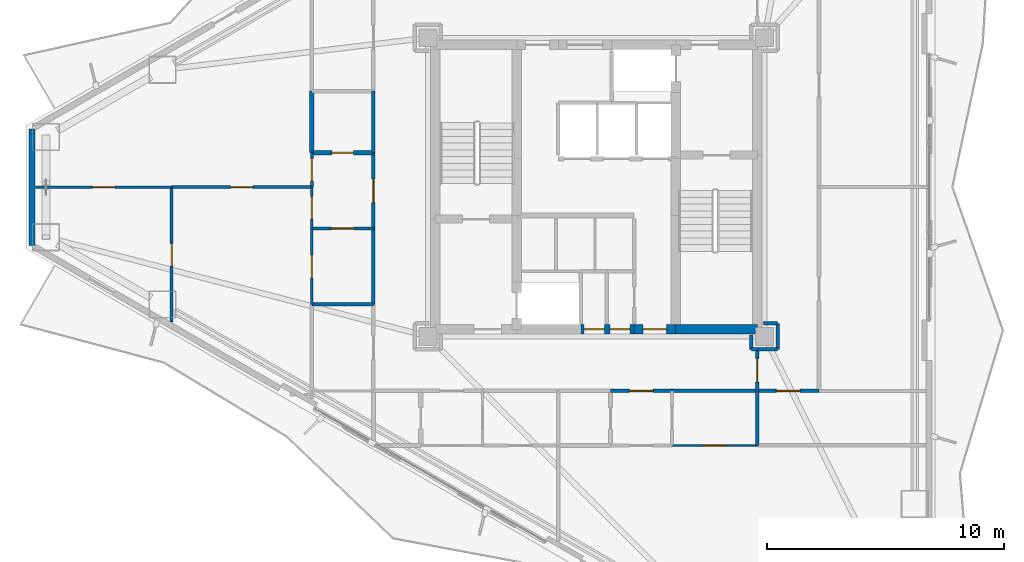
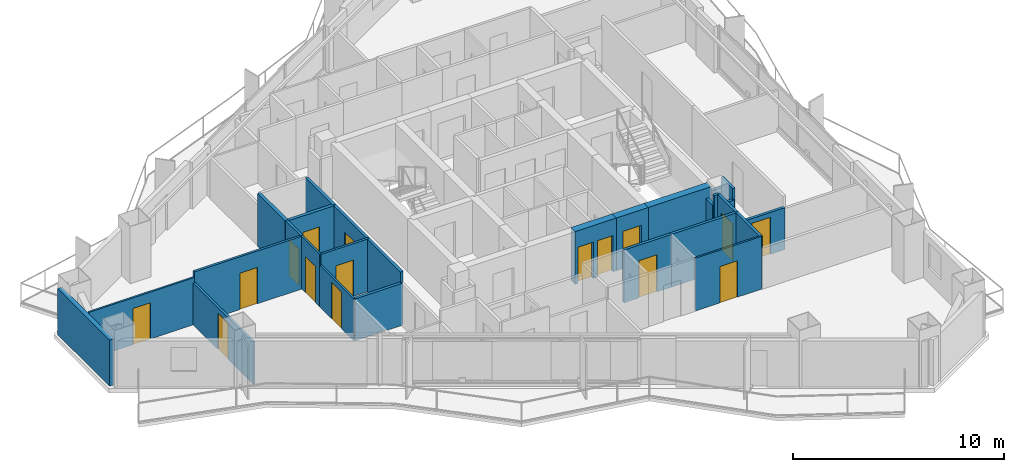
# One storey, part 16 of 22: 28 walls, 16 doors, 16 openings.
"""IFC4 building model written with IfcOpenShell, lengths in metres."""

from ifc_helpers import new_model, si_unit, direction, frame, frame_2d, origin, place, context, subcontext, project, spatial, rectangle, extrude, material, layer, layer_set, type_object, element, fill, save


model = new_model("IFC4")

# Units and contexts
model_context = context("Model", 3, precision=1e-05, world=origin(), true_north=direction((0.0, 1.0)))
body_context = subcontext(model_context, "Body", "Model", "MODEL_VIEW")
ifc_project = project(units=[si_unit("LENGTHUNIT", "METRE"), si_unit("AREAUNIT", "SQUARE_METRE"), si_unit("VOLUMEUNIT", "CUBIC_METRE"), si_unit("PLANEANGLEUNIT", "RADIAN"), si_unit("MASSUNIT", "GRAM", prefix="KILO")], contexts=[model_context])

# Site, building, storey
site_placement = place(None, origin())
site = spatial("IfcSite", under=ifc_project, at=site_placement, CompositionType="ELEMENT")
building_placement = place(site_placement, origin())
building = spatial("IfcBuilding", under=site, at=building_placement, Name="Mersakhor Tower and Convention Hall", CompositionType="ELEMENT")
storey_placement = place(building_placement, frame((0.0, 0.0, 99.89990234375)))
storey = spatial("IfcBuildingStorey", under=building, at=storey_placement, Name="L27", CompositionType="ELEMENT", Elevation=99.89990234375)

# Wall
ifc_material_1 = material(Name="Precast concrete C40/50", Category="concrete")
ifc_layer_1 = layer(ifc_material_1, 0.25)
ifc_layer_set_1 = layer_set([ifc_layer_1], Name="Precast concrete C40/50")
wall_type_1 = type_object("IfcWallType", Name="WL-EXT-250", PredefinedType="SOLIDWALL", material=ifc_layer_set_1)
wall_1_placement = place(storey_placement, frame((5.186767578125, 24.292724609375, 0.0), z_axis=(0.0, 0.0, 1.0), x_axis=(0.0, 1.0, 0.0)))
element("IfcWall", 1, at=wall_1_placement, inside=storey, type_object=wall_type_1, Name="L27 Chamfer Braced Spandrel Wall C3", PredefinedType="SOLIDWALL", context=body_context, shape_type="SweptSolid", body=[
    extrude(rectangle(XDim=4.91455078125, YDim=0.25, at=frame_2d((2.457275390625, 0.0))), origin(), (0.0, 0.0, 1.0), 2.670166015625),
])

# Wall, opening, door
ifc_material_2 = material(Name="Moisture-resistant acoustic drywall studwork", Category="other")
ifc_layer_2 = layer(ifc_material_2, 0.175048828125)
ifc_layer_set_2 = layer_set([ifc_layer_2], Name="Moisture-resistant acoustic drywall studwork")
wall_type_2 = type_object("IfcWallType", Name="WL-PLM-175", PredefinedType="PLUMBINGWALL", material=ifc_layer_set_2)
wall_2_placement = place(storey_placement, frame((17.0, 28.199951171875, 0.0), z_axis=(0.0, 0.0, 1.0), x_axis=(1.0, 0.0, 0.0)))
wall_2 = element("IfcWall", 2, at=wall_2_placement, inside=storey, type_object=wall_type_2, Name="L27 Interior Partition Wall P-074", PredefinedType="PLUMBINGWALL", context=body_context, shape_type="SweptSolid", body=[
    extrude(rectangle(XDim=2.60009765625, YDim=0.175048828125, at=frame_2d((1.300048828125, 0.0))), origin(), (0.0, 0.0, 1.0), 3.050048828125),
])
opening_1_placement = place(wall_2_placement, frame((0.85009765625, 0.0, 0.0)))
opening_1 = element("IfcOpeningElement", 3, at=opening_1_placement, cuts=wall_2, Name="Opening WD-01", PredefinedType="OPENING", context=body_context, shape_type="SweptSolid", body=[
    extrude(rectangle(XDim=0.89990234375, YDim=2.10009765625, at=frame_2d((0.449951171875, 1.050048828125))), frame((0.0, 0.097412109375, 0.0), z_axis=(0.0, -1.0, 0.0), x_axis=(1.0, 0.0, 0.0)), (0.0, 0.0, 1.0), 0.195068359375),
])
ifc_material_3 = material(Name="Solid-core hardwood leaf in painted steel frame", Category="steel")
door_type_1 = type_object("IfcDoorType", Name="DR-INT-WET-090x210", OperationType="NOTDEFINED", PredefinedType="DOOR", material=ifc_material_3)
door_1_placement = place(opening_1_placement, origin())
door_1 = element("IfcDoor", 4, at=door_1_placement, inside=storey, type_object=door_type_1, Name="L27 L27 Flat W5 Apartment Hall to L27 Flat W5 Bathroom Door", OperationType="SINGLE_SWING_LEFT", OverallHeight=2.10009765625, OverallWidth=0.89990234375, PredefinedType="DOOR", context=body_context, shape_type="SweptSolid", body=[
    extrude(rectangle(XDim=0.89990234375, YDim=2.10009765625, at=frame_2d((0.449951171875, 1.050048828125))), frame((0.0, 0.02490234375, 0.0), z_axis=(0.0, -1.0, 0.0), x_axis=(1.0, 0.0, 0.0)), (0.0, 0.0, 1.0), 0.050048828125),
])
fill(opening_1, door_1)

# Wall
wall_3_placement = place(storey_placement, frame((17.0, 28.199951171875, 0.0), z_axis=(0.0, 0.0, 1.0), x_axis=(0.0, 1.0, 0.0)))
element("IfcWall", 5, at=wall_3_placement, inside=storey, type_object=wall_type_2, Name="L27 Interior Partition Wall P-090", PredefinedType="PLUMBINGWALL", context=body_context, shape_type="SweptSolid", body=[
    extrude(rectangle(XDim=2.60009765625, YDim=0.175048828125, at=frame_2d((1.300048828125, 0.0))), origin(), (0.0, 0.0, 1.0), 3.050048828125),
])

# Wall, opening, door
ifc_material_4 = material(Name="Lightweight gypsum partition", Category="other")
ifc_layer_3 = layer(ifc_material_4, 0.10009765625)
ifc_layer_set_3 = layer_set([ifc_layer_3], Name="Lightweight gypsum partition")
wall_type_3 = type_object("IfcWallType", Name="WL-PRT-100", PredefinedType="PARTITIONING", material=ifc_layer_set_3)
wall_4_placement = place(storey_placement, frame((17.0, 25.0, 0.0), z_axis=(0.0, 0.0, 1.0), x_axis=(0.0, 1.0, 0.0)))
wall_4 = element("IfcWall", 6, at=wall_4_placement, inside=storey, type_object=wall_type_3, Name="L27 Interior Partition Wall P-072", PredefinedType="PARTITIONING", context=body_context, shape_type="SweptSolid", body=[
    extrude(rectangle(XDim=1.75, YDim=0.10009765625, at=frame_2d((0.875, 0.0))), origin(), (0.0, 0.0, 1.0), 3.050048828125),
])
opening_2_placement = place(wall_4_placement, frame((0.39990234375, 0.0, 0.0)))
opening_2 = element("IfcOpeningElement", 7, at=opening_2_placement, cuts=wall_4, Name="Opening RD-01", PredefinedType="OPENING", context=body_context, shape_type="SweptSolid", body=[
    extrude(rectangle(XDim=0.949951171875, YDim=2.10009765625, at=frame_2d((0.47509765625, 1.050048828125))), frame((0.0, 0.06005859375, 0.0), z_axis=(0.0, -1.0, 0.0), x_axis=(1.0, 0.0, 0.0)), (0.0, 0.0, 1.0), 0.1201171875),
])
ifc_material_5 = material(Name="Solid-core hardwood leaf in painted steel frame", Category="steel")
door_type_2 = type_object("IfcDoorType", Name="DR-INT-RM-095x210", OperationType="NOTDEFINED", PredefinedType="DOOR", material=ifc_material_5)
door_2_placement = place(opening_2_placement, origin())
door_2 = element("IfcDoor", 8, at=door_2_placement, inside=storey, type_object=door_type_2, Name="L27 L27 Flat W5 Apartment Hall to L27 Flat W5 Dining Room Door", OperationType="SINGLE_SWING_RIGHT", OverallHeight=2.10009765625, OverallWidth=0.949951171875, PredefinedType="DOOR", context=body_context, shape_type="SweptSolid", body=[
    extrude(rectangle(XDim=0.949951171875, YDim=2.10009765625, at=frame_2d((0.47509765625, 1.050048828125))), frame((0.0, 0.02490234375, 0.0), z_axis=(0.0, -1.0, 0.0), x_axis=(1.0, 0.0, 0.0)), (0.0, 0.0, 1.0), 0.050048828125),
])
fill(opening_2, door_2)

wall_5_placement = place(storey_placement, frame((35.800048828125, 15.85009765625, 0.0), z_axis=(0.0, 0.0, 1.0), x_axis=(-1.0, 0.0, 0.0)))
wall_5 = element("IfcWall", 9, at=wall_5_placement, inside=storey, type_object=wall_type_3, Name="L27 Interior Partition Wall P-088", PredefinedType="PARTITIONING", context=body_context, shape_type="SweptSolid", body=[
    extrude(rectangle(XDim=3.60009765625, YDim=0.10009765625, at=frame_2d((1.800048828125, 0.0))), origin(), (0.0, 0.0, 1.0), 3.050048828125),
])
opening_3_placement = place(wall_5_placement, frame((1.324951171875, 0.0, 0.0)))
opening_3 = element("IfcOpeningElement", 10, at=opening_3_placement, cuts=wall_5, Name="Opening RD-01", PredefinedType="OPENING", context=body_context, shape_type="SweptSolid", body=[
    extrude(rectangle(XDim=0.949951171875, YDim=2.10009765625, at=frame_2d((0.47509765625, 1.050048828125))), frame((0.0, 0.06005859375, 0.0), z_axis=(0.0, -1.0, 0.0), x_axis=(1.0, 0.0, 0.0)), (0.0, 0.0, 1.0), 0.1201171875),
])
door_3_placement = place(opening_3_placement, origin())
door_3 = element("IfcDoor", 11, at=door_3_placement, inside=storey, type_object=door_type_2, Name="L27 L27 Flat S4 Kitchen to L27 Flat S4 Studio Living and Sleeping Room Door", OperationType="SINGLE_SWING_RIGHT", OverallHeight=2.10009765625, OverallWidth=0.949951171875, PredefinedType="DOOR", context=body_context, shape_type="SweptSolid", body=[
    extrude(rectangle(XDim=0.949951171875, YDim=2.10009765625, at=frame_2d((0.47509765625, 1.050048828125))), frame((0.0, 0.02490234375, 0.0), z_axis=(0.0, -1.0, 0.0), x_axis=(1.0, 0.0, 0.0)), (0.0, 0.0, 1.0), 0.050048828125),
])
fill(opening_3, door_3)

wall_6_placement = place(storey_placement, frame((17.0, 21.800048828125, 0.0), z_axis=(0.0, 0.0, 1.0), x_axis=(0.0, 1.0, 0.0)))
wall_6 = element("IfcWall", 12, at=wall_6_placement, inside=storey, type_object=wall_type_3, Name="L27 Interior Partition Wall P-092", PredefinedType="PARTITIONING", context=body_context, shape_type="SweptSolid", body=[
    extrude(rectangle(XDim=3.199951171875, YDim=0.10009765625, at=frame_2d((1.60009765625, 0.0))), origin(), (0.0, 0.0, 1.0), 2.4228515625),
])
opening_4_placement = place(wall_6_placement, frame((1.125, 0.0, 0.0)))
opening_4 = element("IfcOpeningElement", 13, at=opening_4_placement, cuts=wall_6, Name="Opening RD-01", PredefinedType="OPENING", context=body_context, shape_type="SweptSolid", body=[
    extrude(rectangle(XDim=0.949951171875, YDim=2.10009765625, at=frame_2d((0.47509765625, 1.050048828125))), frame((0.0, 0.06005859375, 0.0), z_axis=(0.0, -1.0, 0.0), x_axis=(1.0, 0.0, 0.0)), (0.0, 0.0, 1.0), 0.1201171875),
])
door_4_placement = place(opening_4_placement, origin())
door_4 = element("IfcDoor", 14, at=door_4_placement, inside=storey, type_object=door_type_2, Name="L27 L27 Flat W5 Kitchen to L27 Flat W5 Dining Room Door", OperationType="SINGLE_SWING_LEFT", OverallHeight=2.10009765625, OverallWidth=0.949951171875, PredefinedType="DOOR", context=body_context, shape_type="SweptSolid", body=[
    extrude(rectangle(XDim=0.949951171875, YDim=2.10009765625, at=frame_2d((0.47509765625, 1.050048828125))), frame((0.0, 0.02490234375, 0.0), z_axis=(0.0, -1.0, 0.0), x_axis=(1.0, 0.0, 0.0)), (0.0, 0.0, 1.0), 0.050048828125),
])
fill(opening_4, door_4)

wall_7_placement = place(storey_placement, frame((11.090087890625, 26.75, 0.0), z_axis=(0.0, 0.0, 1.0), x_axis=(-1.0, 0.0, 0.0)))
wall_7 = element("IfcWall", 15, at=wall_7_placement, inside=storey, type_object=wall_type_3, Name="L27 Interior Partition Wall P-110", PredefinedType="PARTITIONING", context=body_context, shape_type="SweptSolid", body=[
    extrude(rectangle(XDim=5.75439453125, YDim=0.10009765625, at=frame_2d((2.877197265625, 0.0))), origin(), (0.0, 0.0, 1.0), 2.714599609375),
])
opening_5_placement = place(wall_7_placement, frame((2.402099609375, 0.0, 0.0)))
opening_5 = element("IfcOpeningElement", 16, at=opening_5_placement, cuts=wall_7, Name="Opening RD-01", PredefinedType="OPENING", context=body_context, shape_type="SweptSolid", body=[
    extrude(rectangle(XDim=0.949951171875, YDim=2.10009765625, at=frame_2d((0.47509765625, 1.050048828125))), frame((0.0, 0.06005859375, 0.0), z_axis=(0.0, -1.0, 0.0), x_axis=(1.0, 0.0, 0.0)), (0.0, 0.0, 1.0), 0.1201171875),
])
door_5_placement = place(opening_5_placement, origin())
door_5 = element("IfcDoor", 17, at=door_5_placement, inside=storey, type_object=door_type_2, Name="L27 L27 Flat W5 Living and Dining Room to L27 Flat W5 Bedroom 1 Door", OperationType="SINGLE_SWING_RIGHT", OverallHeight=2.10009765625, OverallWidth=0.949951171875, PredefinedType="DOOR", context=body_context, shape_type="SweptSolid", body=[
    extrude(rectangle(XDim=0.949951171875, YDim=2.10009765625, at=frame_2d((0.47509765625, 1.050048828125))), frame((0.0, 0.02490234375, 0.0), z_axis=(0.0, -1.0, 0.0), x_axis=(1.0, 0.0, 0.0)), (0.0, 0.0, 1.0), 0.050048828125),
])
fill(opening_5, door_5)

ifc_material_6 = material(Name="Gypsum board acoustic partition", Category="other")
ifc_layer_4 = layer(ifc_material_6, 0.125)
ifc_layer_set_4 = layer_set([ifc_layer_4], Name="Gypsum board acoustic partition")
wall_type_4 = type_object("IfcWallType", Name="WL-PRT-125", PredefinedType="PARTITIONING", material=ifc_layer_set_4)
wall_8_placement = place(storey_placement, frame((17.0, 26.75, 0.0), z_axis=(0.0, 0.0, 1.0), x_axis=(0.0, 1.0, 0.0)))
wall_8 = element("IfcWall", 18, at=wall_8_placement, inside=storey, type_object=wall_type_4, Name="L27 Interior Partition Wall P-073", PredefinedType="PARTITIONING", context=body_context, shape_type="SweptSolid", body=[
    extrude(rectangle(XDim=1.449951171875, YDim=0.125, at=frame_2d((0.72509765625, 0.0))), origin(), (0.0, 0.0, 1.0), 3.050048828125),
])
opening_6_placement = place(wall_8_placement, frame((0.25, 0.0, 0.0)))
opening_6 = element("IfcOpeningElement", 19, at=opening_6_placement, cuts=wall_8, Name="Opening RD-01", PredefinedType="OPENING", context=body_context, shape_type="SweptSolid", body=[
    extrude(rectangle(XDim=0.949951171875, YDim=2.10009765625, at=frame_2d((0.47509765625, 1.050048828125))), frame((0.0, 0.072509765625, 0.0), z_axis=(0.0, -1.0, 0.0), x_axis=(1.0, 0.0, 0.0)), (0.0, 0.0, 1.0), 0.14501953125),
])
door_6_placement = place(opening_6_placement, origin())
door_6 = element("IfcDoor", 20, at=door_6_placement, inside=storey, type_object=door_type_2, Name="L27 L27 Flat W5 Apartment Hall to L27 Flat W5 Living and Dining Room Door", OperationType="SINGLE_SWING_LEFT", OverallHeight=2.10009765625, OverallWidth=0.949951171875, PredefinedType="DOOR", context=body_context, shape_type="SweptSolid", body=[
    extrude(rectangle(XDim=0.949951171875, YDim=2.10009765625, at=frame_2d((0.47509765625, 1.050048828125))), frame((0.0, 0.02490234375, 0.0), z_axis=(0.0, -1.0, 0.0), x_axis=(1.0, 0.0, 0.0)), (0.0, 0.0, 1.0), 0.050048828125),
])
fill(opening_6, door_6)

wall_9_placement = place(storey_placement, frame((19.60009765625, 25.0, 0.0), z_axis=(0.0, 0.0, 1.0), x_axis=(-1.0, 0.0, 0.0)))
wall_9 = element("IfcWall", 21, at=wall_9_placement, inside=storey, type_object=wall_type_4, Name="L27 Interior Partition Wall P-075", PredefinedType="PARTITIONING", context=body_context, shape_type="SweptSolid", body=[
    extrude(rectangle(XDim=2.60009765625, YDim=0.125, at=frame_2d((1.300048828125, 0.0))), origin(), (0.0, 0.0, 1.0), 3.050048828125),
])
opening_7_placement = place(wall_9_placement, frame((0.824951171875, 0.0, 0.0)))
opening_7 = element("IfcOpeningElement", 22, at=opening_7_placement, cuts=wall_9, Name="Opening RD-01", PredefinedType="OPENING", context=body_context, shape_type="SweptSolid", body=[
    extrude(rectangle(XDim=0.949951171875, YDim=2.10009765625, at=frame_2d((0.47509765625, 1.050048828125))), frame((0.0, 0.072509765625, 0.0), z_axis=(0.0, -1.0, 0.0), x_axis=(1.0, 0.0, 0.0)), (0.0, 0.0, 1.0), 0.14501953125),
])
door_7_placement = place(opening_7_placement, origin())
door_7 = element("IfcDoor", 23, at=door_7_placement, inside=storey, type_object=door_type_2, Name="L27 L27 Flat W5 Apartment Hall to L27 Flat W5 Kitchen Door", OperationType="SINGLE_SWING_RIGHT", OverallHeight=2.10009765625, OverallWidth=0.949951171875, PredefinedType="DOOR", context=body_context, shape_type="SweptSolid", body=[
    extrude(rectangle(XDim=0.949951171875, YDim=2.10009765625, at=frame_2d((0.47509765625, 1.050048828125))), frame((0.0, 0.02490234375, 0.0), z_axis=(0.0, -1.0, 0.0), x_axis=(1.0, 0.0, 0.0)), (0.0, 0.0, 1.0), 0.050048828125),
])
fill(opening_7, door_7)

wall_10_placement = place(storey_placement, frame((17.0, 26.75, 0.0), z_axis=(0.0, 0.0, 1.0), x_axis=(-1.0, 0.0, 0.0)))
wall_10 = element("IfcWall", 24, at=wall_10_placement, inside=storey, type_object=wall_type_4, Name="L27 Interior Partition Wall P-109", PredefinedType="PARTITIONING", context=body_context, shape_type="SweptSolid", body=[
    extrude(rectangle(XDim=5.909912109375, YDim=0.125, at=frame_2d((2.955078125, 0.0))), origin(), (0.0, 0.0, 1.0), 3.050048828125),
])
opening_8_placement = place(wall_10_placement, frame((2.47998046875, 0.0, 0.0)))
opening_8 = element("IfcOpeningElement", 25, at=opening_8_placement, cuts=wall_10, Name="Opening RD-01", PredefinedType="OPENING", context=body_context, shape_type="SweptSolid", body=[
    extrude(rectangle(XDim=0.949951171875, YDim=2.10009765625, at=frame_2d((0.47509765625, 1.050048828125))), frame((0.0, 0.072509765625, 0.0), z_axis=(0.0, -1.0, 0.0), x_axis=(1.0, 0.0, 0.0)), (0.0, 0.0, 1.0), 0.14501953125),
])
door_8_placement = place(opening_8_placement, origin())
door_8 = element("IfcDoor", 26, at=door_8_placement, inside=storey, type_object=door_type_2, Name="L27 L27 Flat W5 Living and Dining Room to L27 Flat W5 Dining Room Door", OperationType="SINGLE_SWING_LEFT", OverallHeight=2.10009765625, OverallWidth=0.949951171875, PredefinedType="DOOR", context=body_context, shape_type="SweptSolid", body=[
    extrude(rectangle(XDim=0.949951171875, YDim=2.10009765625, at=frame_2d((0.47509765625, 1.050048828125))), frame((0.0, 0.02490234375, 0.0), z_axis=(0.0, -1.0, 0.0), x_axis=(1.0, 0.0, 0.0)), (0.0, 0.0, 1.0), 0.050048828125),
])
fill(opening_8, door_8)

wall_11_placement = place(storey_placement, frame((11.090087890625, 26.75, 0.0), z_axis=(0.0, 0.0, 1.0), x_axis=(0.0, -1.0, 0.0)))
wall_11 = element("IfcWall", 27, at=wall_11_placement, inside=storey, type_object=wall_type_4, Name="L27 Interior Partition Wall P-111", PredefinedType="PARTITIONING", context=body_context, shape_type="SweptSolid", body=[
    extrude(rectangle(XDim=5.693359375, YDim=0.125, at=frame_2d((2.8466796875, 0.0))), origin(), (0.0, 0.0, 1.0), 2.4228515625),
])
opening_9_placement = place(wall_11_placement, frame((2.37158203125, 0.0, 0.0)))
opening_9 = element("IfcOpeningElement", 28, at=opening_9_placement, cuts=wall_11, Name="Opening RD-01", PredefinedType="OPENING", context=body_context, shape_type="SweptSolid", body=[
    extrude(rectangle(XDim=0.949951171875, YDim=2.10009765625, at=frame_2d((0.47509765625, 1.050048828125))), frame((0.0, 0.072509765625, 0.0), z_axis=(0.0, -1.0, 0.0), x_axis=(1.0, 0.0, 0.0)), (0.0, 0.0, 1.0), 0.14501953125),
])
door_9_placement = place(opening_9_placement, origin())
door_9 = element("IfcDoor", 29, at=door_9_placement, inside=storey, type_object=door_type_2, Name="L27 L27 Flat W5 Bedroom 1 to L27 Flat W5 Dining Room Door", OperationType="SINGLE_SWING_RIGHT", OverallHeight=2.10009765625, OverallWidth=0.949951171875, PredefinedType="DOOR", context=body_context, shape_type="SweptSolid", body=[
    extrude(rectangle(XDim=0.949951171875, YDim=2.10009765625, at=frame_2d((0.47509765625, 1.050048828125))), frame((0.0, 0.02490234375, 0.0), z_axis=(0.0, -1.0, 0.0), x_axis=(1.0, 0.0, 0.0)), (0.0, 0.0, 1.0), 0.050048828125),
])
fill(opening_9, door_9)

# Walls
ifc_material_7 = material(Name="Fire-rated gypsum board stud partition", Category="other")
ifc_layer_5 = layer(ifc_material_7, 0.14990234375)
ifc_layer_set_5 = layer_set([ifc_layer_5], Name="Fire-rated gypsum board stud partition")
wall_type_5 = type_object("IfcWallType", Name="WL-PRT-150", PredefinedType="PARTITIONING", material=ifc_layer_set_5)
wall_12_placement = place(storey_placement, frame((35.550048828125, 20.5, 0.0), z_axis=(0.0, 0.0, 1.0), x_axis=(0.0, -1.0, 0.0)))
element("IfcWall", 30, at=wall_12_placement, inside=storey, type_object=wall_type_5, Name="L27 Interior Partition Wall P-021", PredefinedType="PARTITIONING", context=body_context, shape_type="SweptSolid", body=[
    extrude(rectangle(XDim=0.60009765625, YDim=0.14990234375, at=frame_2d((0.300048828125, 0.0))), origin(), (0.0, 0.0, 1.0), 2.498291015625),
])
wall_13_placement = place(storey_placement, frame((35.550048828125, 19.89990234375, 0.0), z_axis=(0.0, 0.0, 1.0), x_axis=(1.0, 0.0, 0.0)))
element("IfcWall", 31, at=wall_13_placement, inside=storey, type_object=wall_type_5, Name="L27 Interior Partition Wall P-022", PredefinedType="PARTITIONING", context=body_context, shape_type="SweptSolid", body=[
    extrude(rectangle(XDim=0.25, YDim=0.14990234375, at=frame_2d((0.125, 0.0))), origin(), (0.0, 0.0, 1.0), 3.050048828125),
])

# Wall, opening, door
wall_14_placement = place(storey_placement, frame((35.800048828125, 19.89990234375, 0.0), z_axis=(0.0, 0.0, 1.0), x_axis=(0.0, -1.0, 0.0)))
wall_14 = element("IfcWall", 32, at=wall_14_placement, inside=storey, type_object=wall_type_5, Name="L27 Interior Partition Wall P-023", PredefinedType="PARTITIONING", context=body_context, shape_type="SweptSolid", body=[
    extrude(rectangle(XDim=1.75, YDim=0.14990234375, at=frame_2d((0.875, 0.0))), origin(), (0.0, 0.0, 1.0), 3.050048828125),
])
opening_10_placement = place(wall_14_placement, frame((0.375, 0.0, 0.0)))
opening_10 = element("IfcOpeningElement", 33, at=opening_10_placement, cuts=wall_14, Name="Opening FD-01", PredefinedType="OPENING", context=body_context, shape_type="SweptSolid", body=[
    extrude(rectangle(XDim=1.0, YDim=2.14990234375, at=frame_2d((0.5, 1.074951171875))), frame((0.0, 0.0849609375, 0.0), z_axis=(0.0, -1.0, 0.0), x_axis=(1.0, 0.0, 0.0)), (0.0, 0.0, 1.0), 0.169921875),
])
ifc_material_8 = material(Name="Fire-rated hardwood leaf and painted steel frame", Category="steel")
door_type_3 = type_object("IfcDoorType", Name="DR-INT-FLT-100x215", OperationType="NOTDEFINED", PredefinedType="DOOR", material=ifc_material_8)
door_10_placement = place(opening_10_placement, origin())
door_10 = element("IfcDoor", 34, at=door_10_placement, inside=storey, type_object=door_type_3, Name="L27 Ring Corridor Fire Door", OperationType="SINGLE_SWING_RIGHT", OverallHeight=2.14990234375, OverallWidth=1.0, PredefinedType="DOOR", context=body_context, shape_type="SweptSolid", body=[
    extrude(rectangle(XDim=1.0, YDim=2.14990234375, at=frame_2d((0.5, 1.074951171875))), frame((0.0, 0.02490234375, 0.0), z_axis=(0.0, -1.0, 0.0), x_axis=(1.0, 0.0, 0.0)), (0.0, 0.0, 1.0), 0.050048828125),
])
fill(opening_10, door_10)

# Wall
wall_15_placement = place(storey_placement, frame((35.800048828125, 18.14990234375, 0.0), z_axis=(0.0, 0.0, 1.0), x_axis=(-1.0, 0.0, 0.0)))
element("IfcWall", 35, at=wall_15_placement, inside=storey, type_object=wall_type_5, Name="L27 Interior Partition Wall P-024", PredefinedType="PARTITIONING", context=body_context, shape_type="SweptSolid", body=[
    extrude(rectangle(XDim=3.60009765625, YDim=0.14990234375, at=frame_2d((1.800048828125, 0.0))), origin(), (0.0, 0.0, 1.0), 3.050048828125),
])

# Wall, opening, door
wall_16_placement = place(storey_placement, frame((32.199951171875, 18.14990234375, 0.0), z_axis=(0.0, 0.0, 1.0), x_axis=(-1.0, 0.0, 0.0)))
wall_16 = element("IfcWall", 36, at=wall_16_placement, inside=storey, type_object=wall_type_5, Name="L27 Interior Partition Wall P-025", PredefinedType="PARTITIONING", context=body_context, shape_type="SweptSolid", body=[
    extrude(rectangle(XDim=2.599853515625, YDim=0.14990234375, at=frame_2d((1.2998046875, 0.0))), origin(), (0.0, 0.0, 1.0), 3.050048828125),
])
opening_11_placement = place(wall_16_placement, frame((0.800048828125, 0.0, 0.0)))
opening_11 = element("IfcOpeningElement", 37, at=opening_11_placement, cuts=wall_16, Name="Opening FD-01", PredefinedType="OPENING", context=body_context, shape_type="SweptSolid", body=[
    extrude(rectangle(XDim=1.0, YDim=2.14990234375, at=frame_2d((0.5, 1.074951171875))), frame((0.0, 0.0849609375, 0.0), z_axis=(0.0, -1.0, 0.0), x_axis=(1.0, 0.0, 0.0)), (0.0, 0.0, 1.0), 0.169921875),
])
door_11_placement = place(opening_11_placement, origin())
door_11 = element("IfcDoor", 38, at=door_11_placement, inside=storey, type_object=door_type_3, Name="L27 Apartment Entrance Door (Residential Ring Corridor to L27 Flat S4 Apartment Hall)", OperationType="SINGLE_SWING_LEFT", OverallHeight=2.14990234375, OverallWidth=1.0, PredefinedType="DOOR", context=body_context, shape_type="SweptSolid", body=[
    extrude(rectangle(XDim=1.0, YDim=2.14990234375, at=frame_2d((0.5, 1.074951171875))), frame((0.0, 0.02490234375, 0.0), z_axis=(0.0, -1.0, 0.0), x_axis=(1.0, 0.0, 0.0)), (0.0, 0.0, 1.0), 0.050048828125),
])
fill(opening_11, door_11)

# Wall
wall_17_placement = place(storey_placement, frame((19.60009765625, 21.800048828125, 0.0), z_axis=(0.0, 0.0, 1.0), x_axis=(0.0, 1.0, 0.0)))
element("IfcWall", 39, at=wall_17_placement, inside=storey, type_object=wall_type_5, Name="L27 Interior Partition Wall P-031", PredefinedType="PARTITIONING", context=body_context, shape_type="SweptSolid", body=[
    extrude(rectangle(XDim=3.199951171875, YDim=0.14990234375, at=frame_2d((1.60009765625, 0.0))), origin(), (0.0, 0.0, 1.0), 3.050048828125),
])

# Wall, opening, door
wall_18_placement = place(storey_placement, frame((19.60009765625, 25.0, 0.0), z_axis=(0.0, 0.0, 1.0), x_axis=(0.0, 1.0, 0.0)))
wall_18 = element("IfcWall", 40, at=wall_18_placement, inside=storey, type_object=wall_type_5, Name="L27 Interior Partition Wall P-032", PredefinedType="PARTITIONING", context=body_context, shape_type="SweptSolid", body=[
    extrude(rectangle(XDim=3.199951171875, YDim=0.14990234375, at=frame_2d((1.60009765625, 0.0))), origin(), (0.0, 0.0, 1.0), 3.050048828125),
])
opening_12_placement = place(wall_18_placement, frame((1.10009765625, 0.0, 0.0)))
opening_12 = element("IfcOpeningElement", 41, at=opening_12_placement, cuts=wall_18, Name="Opening FD-01", PredefinedType="OPENING", context=body_context, shape_type="SweptSolid", body=[
    extrude(rectangle(XDim=1.0, YDim=2.14990234375, at=frame_2d((0.5, 1.074951171875))), frame((0.0, 0.0849609375, 0.0), z_axis=(0.0, -1.0, 0.0), x_axis=(1.0, 0.0, 0.0)), (0.0, 0.0, 1.0), 0.169921875),
])
door_12_placement = place(opening_12_placement, origin())
door_12 = element("IfcDoor", 42, at=door_12_placement, inside=storey, type_object=door_type_3, Name="L27 Apartment Entrance Door (Residential Ring Corridor to L27 Flat W5 Apartment Hall)", OperationType="SINGLE_SWING_RIGHT", OverallHeight=2.14990234375, OverallWidth=1.0, PredefinedType="DOOR", context=body_context, shape_type="SweptSolid", body=[
    extrude(rectangle(XDim=1.0, YDim=2.14990234375, at=frame_2d((0.5, 1.074951171875))), frame((0.0, 0.02490234375, 0.0), z_axis=(0.0, -1.0, 0.0), x_axis=(1.0, 0.0, 0.0)), (0.0, 0.0, 1.0), 0.050048828125),
])
fill(opening_12, door_12)

# Walls
wall_19_placement = place(storey_placement, frame((19.60009765625, 28.199951171875, 0.0), z_axis=(0.0, 0.0, 1.0), x_axis=(0.0, 1.0, 0.0)))
element("IfcWall", 43, at=wall_19_placement, inside=storey, type_object=wall_type_5, Name="L27 Interior Partition Wall P-033", PredefinedType="PARTITIONING", context=body_context, shape_type="SweptSolid", body=[
    extrude(rectangle(XDim=2.60009765625, YDim=0.14990234375, at=frame_2d((1.300048828125, 0.0))), origin(), (0.0, 0.0, 1.0), 3.050048828125),
])
wall_20_placement = place(storey_placement, frame((36.64990234375, 21.0, 0.0), z_axis=(0.0, 0.0, 1.0), x_axis=(-1.0, 0.0, 0.0)))
element("IfcWall", 44, at=wall_20_placement, inside=storey, type_object=wall_type_5, Name="L27 Interior Partition Wall P-050", PredefinedType="PARTITIONING", context=body_context, shape_type="SweptSolid", body=[
    extrude(rectangle(XDim=0.599853515625, YDim=0.14990234375, at=frame_2d((0.2998046875, 0.0))), origin(), (0.0, 0.0, 1.0), 2.498291015625),
])

# Wall, opening, door
wall_21_placement = place(storey_placement, frame((38.39990234375, 18.14990234375, 0.0), z_axis=(0.0, 0.0, 1.0), x_axis=(-1.0, 0.0, 0.0)))
wall_21 = element("IfcWall", 45, at=wall_21_placement, inside=storey, type_object=wall_type_5, Name="L27 Interior Partition Wall P-057", PredefinedType="PARTITIONING", context=body_context, shape_type="SweptSolid", body=[
    extrude(rectangle(XDim=2.599853515625, YDim=0.14990234375, at=frame_2d((1.2998046875, 0.0))), origin(), (0.0, 0.0, 1.0), 2.4228515625),
])
opening_13_placement = place(wall_21_placement, frame((0.800048828125, 0.0, 0.0)))
opening_13 = element("IfcOpeningElement", 46, at=opening_13_placement, cuts=wall_21, Name="Opening FD-01", PredefinedType="OPENING", context=body_context, shape_type="SweptSolid", body=[
    extrude(rectangle(XDim=1.0, YDim=2.14990234375, at=frame_2d((0.5, 1.074951171875))), frame((0.0, 0.0849609375, 0.0), z_axis=(0.0, -1.0, 0.0), x_axis=(1.0, 0.0, 0.0)), (0.0, 0.0, 1.0), 0.169921875),
])
door_13_placement = place(opening_13_placement, origin())
door_13 = element("IfcDoor", 47, at=door_13_placement, inside=storey, type_object=door_type_3, Name="L27 Residential Ring East Corridor to L27 South-East Quiet Focus Room Door", OperationType="SINGLE_SWING_RIGHT", OverallHeight=2.14990234375, OverallWidth=1.0, PredefinedType="DOOR", context=body_context, shape_type="SweptSolid", body=[
    extrude(rectangle(XDim=1.0, YDim=2.14990234375, at=frame_2d((0.5, 1.074951171875))), frame((0.0, 0.02490234375, 0.0), z_axis=(0.0, -1.0, 0.0), x_axis=(1.0, 0.0, 0.0)), (0.0, 0.0, 1.0), 0.050048828125),
])
fill(opening_13, door_13)

# Walls
wall_22_placement = place(storey_placement, frame((35.800048828125, 19.89990234375, 0.0), z_axis=(0.0, 0.0, 1.0), x_axis=(1.0, 0.0, 0.0)))
element("IfcWall", 48, at=wall_22_placement, inside=storey, type_object=wall_type_5, Name="L27 Interior Partition Wall P-058", PredefinedType="PARTITIONING", context=body_context, shape_type="SweptSolid", body=[
    extrude(rectangle(XDim=0.849853515625, YDim=0.14990234375, at=frame_2d((0.4248046875, 0.0))), origin(), (0.0, 0.0, 1.0), 2.4228515625),
])
wall_23_placement = place(storey_placement, frame((36.64990234375, 19.89990234375, 0.0), z_axis=(0.0, 0.0, 1.0), x_axis=(0.0, 1.0, 0.0)))
element("IfcWall", 49, at=wall_23_placement, inside=storey, type_object=wall_type_5, Name="L27 Interior Partition Wall P-059", PredefinedType="PARTITIONING", context=body_context, shape_type="SweptSolid", body=[
    extrude(rectangle(XDim=1.10009765625, YDim=0.14990234375, at=frame_2d((0.550048828125, 0.0))), origin(), (0.0, 0.0, 1.0), 3.050048828125),
])
wall_24_placement = place(storey_placement, frame((35.800048828125, 18.14990234375, 0.0), z_axis=(0.0, 0.0, 1.0), x_axis=(0.0, -1.0, 0.0)))
element("IfcWall", 50, at=wall_24_placement, inside=storey, type_object=wall_type_5, Name="L27 Interior Partition Wall P-089", PredefinedType="PARTITIONING", context=body_context, shape_type="SweptSolid", body=[
    extrude(rectangle(XDim=2.2998046875, YDim=0.14990234375, at=frame_2d((1.14990234375, 0.0))), origin(), (0.0, 0.0, 1.0), 3.050048828125),
])
wall_25_placement = place(storey_placement, frame((19.60009765625, 21.800048828125, 0.0), z_axis=(0.0, 0.0, 1.0), x_axis=(-1.0, 0.0, 0.0)))
element("IfcWall", 51, at=wall_25_placement, inside=storey, type_object=wall_type_5, Name="L27 Interior Partition Wall P-093", PredefinedType="PARTITIONING", context=body_context, shape_type="SweptSolid", body=[
    extrude(rectangle(XDim=2.60009765625, YDim=0.14990234375, at=frame_2d((1.300048828125, 0.0))), origin(), (0.0, 0.0, 1.0), 2.4228515625),
])
ifc_material_9 = material(Name="Concrete C60/75", Category="concrete")
ifc_layer_6 = layer(ifc_material_9, 0.39990234375)
ifc_layer_set_6 = layer_set([ifc_layer_6], Name="Concrete C60/75")
wall_type_6 = type_object("IfcWallType", Name="WL-SHR-400", PredefinedType="SHEAR", material=ifc_layer_set_6)
wall_26_placement = place(storey_placement, frame((35.800048828125, 20.75, 0.0), z_axis=(0.0, 0.0, 1.0), x_axis=(-1.0, 0.0, 0.0)))
element("IfcWall", 52, at=wall_26_placement, inside=storey, type_object=wall_type_6, Name="L27 Core Wall CW-S1", PredefinedType="SHEAR", context=body_context, shape_type="SweptSolid", body=[
    extrude(rectangle(XDim=3.449951171875, YDim=0.39990234375, at=frame_2d((1.72509765625, 0.0))), origin(), (0.0, 0.0, 1.0), 3.050048828125),
])

# Wall, opening, door
wall_27_placement = place(storey_placement, frame((32.35009765625, 20.75, 0.0), z_axis=(0.0, 0.0, 1.0), x_axis=(-1.0, 0.0, 0.0)))
wall_27 = element("IfcWall", 53, at=wall_27_placement, inside=storey, type_object=wall_type_6, Name="L27 Core Wall CW-S2A", PredefinedType="SHEAR", context=body_context, shape_type="SweptSolid", body=[
    extrude(rectangle(XDim=1.75, YDim=0.39990234375, at=frame_2d((0.875, 0.0))), origin(), (0.0, 0.0, 1.0), 3.050048828125),
])
opening_14_placement = place(wall_27_placement, frame((0.375, 0.0, 0.0)))
opening_14 = element("IfcOpeningElement", 54, at=opening_14_placement, cuts=wall_27, Name="Opening CFD-01", PredefinedType="OPENING", context=body_context, shape_type="SweptSolid", body=[
    extrude(rectangle(XDim=1.0, YDim=2.14990234375, at=frame_2d((0.5, 1.074951171875))), frame((0.0, 0.2099609375, 0.0), z_axis=(0.0, -1.0, 0.0), x_axis=(1.0, 0.0, 0.0)), (0.0, 0.0, 1.0), 0.419921875),
])
ifc_material_10 = material(Name="Fire-rated hardwood leaf and painted steel frame", Category="steel")
door_type_4 = type_object("IfcDoorType", Name="DR-CORE-FD-100x215", OperationType="NOTDEFINED", PredefinedType="DOOR", material=ifc_material_10)
door_14_placement = place(opening_14_placement, origin())
door_14 = element("IfcDoor", 55, at=door_14_placement, inside=storey, type_object=door_type_4, Name="L27 Lift Lobby South Corridor Door", OperationType="SINGLE_SWING_RIGHT", OverallHeight=2.14990234375, OverallWidth=1.0, PredefinedType="DOOR", context=body_context, shape_type="SweptSolid", body=[
    extrude(rectangle(XDim=1.0, YDim=2.14990234375, at=frame_2d((0.5, 1.074951171875))), frame((0.0, 0.02490234375, 0.0), z_axis=(0.0, -1.0, 0.0), x_axis=(1.0, 0.0, 0.0)), (0.0, 0.0, 1.0), 0.050048828125),
])
fill(opening_14, door_14)

# Wall, openings, doors
wall_28_placement = place(storey_placement, frame((30.60009765625, 20.75, 0.0), z_axis=(0.0, 0.0, 1.0), x_axis=(-1.0, 0.0, 0.0)))
wall_28 = element("IfcWall", 56, at=wall_28_placement, inside=storey, type_object=wall_type_6, Name="L27 Core Wall CW-S2B", PredefinedType="SHEAR", context=body_context, shape_type="SweptSolid", body=[
    extrude(rectangle(XDim=2.25, YDim=0.39990234375, at=frame_2d((1.125, 0.0))), origin(), (0.0, 0.0, 1.0), 3.050048828125),
])
opening_15_placement = place(wall_28_placement, frame((1.2548828125, 0.0, 0.0)))
opening_15 = element("IfcOpeningElement", 57, at=opening_15_placement, cuts=wall_28, Name="Opening SVD-01", PredefinedType="OPENING", context=body_context, shape_type="SweptSolid", body=[
    extrude(rectangle(XDim=0.85009765625, YDim=2.10009765625, at=frame_2d((0.425048828125, 1.050048828125))), frame((0.0, 0.2099609375, 0.0), z_axis=(0.0, -1.0, 0.0), x_axis=(1.0, 0.0, 0.0)), (0.0, 0.0, 1.0), 0.419921875),
])
opening_16_placement = place(wall_28_placement, frame((0.169921875, 0.0, 0.0)))
opening_16 = element("IfcOpeningElement", 58, at=opening_16_placement, cuts=wall_28, Name="Opening SVD-01", PredefinedType="OPENING", context=body_context, shape_type="SweptSolid", body=[
    extrude(rectangle(XDim=0.85009765625, YDim=2.10009765625, at=frame_2d((0.425048828125, 1.050048828125))), frame((0.0, 0.2099609375, 0.0), z_axis=(0.0, -1.0, 0.0), x_axis=(1.0, 0.0, 0.0)), (0.0, 0.0, 1.0), 0.419921875),
])
ifc_material_11 = material(Name="Fire-rated hardwood leaf and painted steel frame", Category="steel")
door_type_5 = type_object("IfcDoorType", Name="DR-INT-SVC-085x210", OperationType="NOTDEFINED", PredefinedType="DOOR", material=ifc_material_11)
door_15_placement = place(opening_15_placement, origin())
door_15 = element("IfcDoor", 59, at=door_15_placement, inside=storey, type_object=door_type_5, Name="L27 Residential Ring Corridor to Sub-Metering Switch Room Door", OperationType="SINGLE_SWING_LEFT", OverallHeight=2.10009765625, OverallWidth=0.85009765625, PredefinedType="DOOR", context=body_context, shape_type="SweptSolid", body=[
    extrude(rectangle(XDim=0.85009765625, YDim=2.10009765625, at=frame_2d((0.425048828125, 1.050048828125))), frame((0.0, 0.02490234375, 0.0), z_axis=(0.0, -1.0, 0.0), x_axis=(1.0, 0.0, 0.0)), (0.0, 0.0, 1.0), 0.050048828125),
])
fill(opening_15, door_15)
door_16_placement = place(opening_16_placement, origin())
door_16 = element("IfcDoor", 60, at=door_16_placement, inside=storey, type_object=door_type_5, Name="L27 Residential Ring Corridor to Core Maintenance Store Room Door", OperationType="SINGLE_SWING_RIGHT", OverallHeight=2.10009765625, OverallWidth=0.85009765625, PredefinedType="DOOR", context=body_context, shape_type="SweptSolid", body=[
    extrude(rectangle(XDim=0.85009765625, YDim=2.10009765625, at=frame_2d((0.425048828125, 1.050048828125))), frame((0.0, 0.02490234375, 0.0), z_axis=(0.0, -1.0, 0.0), x_axis=(1.0, 0.0, 0.0)), (0.0, 0.0, 1.0), 0.050048828125),
])
fill(opening_16, door_16)

save(model, "model.ifc")
